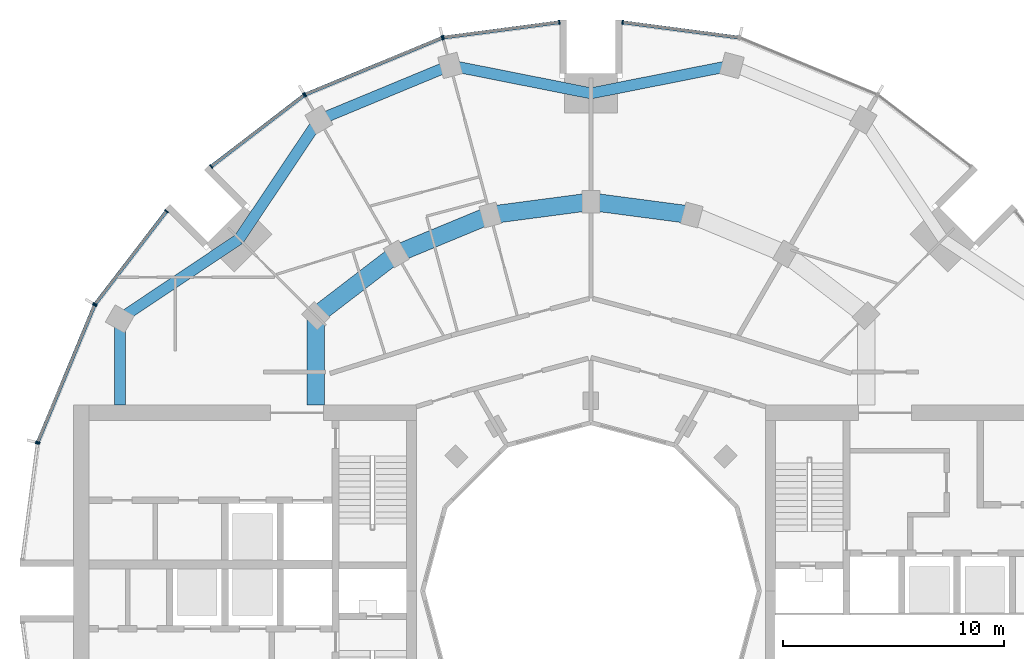
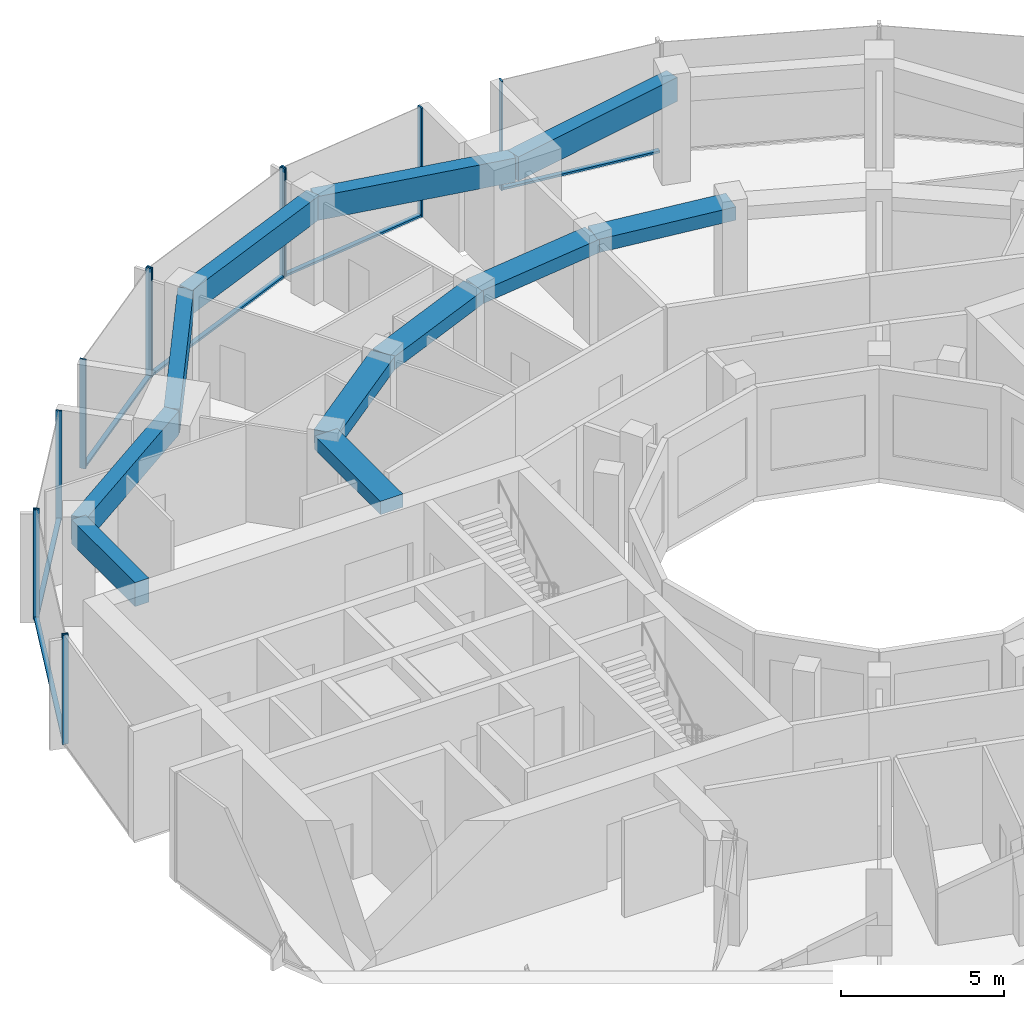
# One storey, part 5 of 15: 18 members, 11 beams, 7 elements without a shape of their own.
"""IFC4 building model written with IfcOpenShell, lengths in metres."""

from ifc_helpers import new_model, si_unit, direction, frame, origin, origin_2d, place, context, subcontext, project, spatial, rectangle, extrude, material, layer, layer_set, material_profile, profile_set, type_object, element, aggregate, save


model = new_model("IFC4")

# Units and contexts
model_context = context("Model", 3, precision=1e-05, world=origin(), true_north=direction((0.0, 1.0)))
body_context = subcontext(model_context, "Body", "Model", "MODEL_VIEW")
ifc_project = project(units=[si_unit("LENGTHUNIT", "METRE"), si_unit("AREAUNIT", "SQUARE_METRE"), si_unit("VOLUMEUNIT", "CUBIC_METRE"), si_unit("PLANEANGLEUNIT", "RADIAN"), si_unit("MASSUNIT", "GRAM", prefix="KILO")], contexts=[model_context])

# Site, building, storey
site_placement = place(None, origin())
site = spatial("IfcSite", under=ifc_project, at=site_placement, CompositionType="ELEMENT")
building_placement = place(site_placement, origin())
building = spatial("IfcBuilding", under=site, at=building_placement, Name="Torre Brocal", CompositionType="ELEMENT")
storey_placement = place(building_placement, frame((0.0, 0.0, 157.699951171875)))
storey = spatial("IfcBuildingStorey", under=building, at=storey_placement, Name="L36", CompositionType="ELEMENT", Elevation=157.699951171875)

# Curtain wall, member
ifc_material_1 = material(Name="Aluminium and glass", Category="aluminium")
ifc_layer_1 = layer(ifc_material_1, 0.199951171875)
ifc_layer_set_1 = layer_set([ifc_layer_1], Name="Aluminium and glass")
curtain_wall_type_1 = type_object("IfcCurtainWallType", Name="CW-1 CURTAIN WALL 4100 HIGH", PredefinedType="NOTDEFINED", material=ifc_layer_set_1)
curtain_wall_1_placement = place(storey_placement, origin())
curtain_wall_1 = element("IfcCurtainWall", 1, at=curtain_wall_1_placement, inside=storey, type_object=curtain_wall_type_1, Name="CW-1 RUN 6", PredefinedType="NOTDEFINED")
ifc_material_2 = material(Name="Aluminium, dark anodised", Category="aluminium")
ifc_material_profile_1 = material_profile(ifc_material_2, rectangle(XDim=0.199951171875, YDim=0.06005859375, at=origin_2d()), Name="CW-1 MULLION 60X200")
ifc_profile_set_1 = profile_set([ifc_material_profile_1], Name="Aluminium, dark anodised")
member_type_1 = type_object("IfcMemberType", Name="CW-1 MULLION 60X200", PredefinedType="MULLION", material=ifc_profile_set_1)
member_1_placement = place(storey_placement, frame((81.4296875, 100.7109375, 0.0), z_axis=(0.0, 0.0, 1.0), x_axis=(-0.13052619222, -0.991444861374, 0.0)))
member_1 = element("IfcMember", 2, at=member_1_placement, type_object=member_type_1, Name="CW1-4 mullion 2", PredefinedType="MULLION", context=body_context, shape_type="SweptSolid", body=[
    extrude(rectangle(XDim=0.199951171875, YDim=0.06005859375, at=origin_2d()), origin(), (0.0, 0.0, 1.0), 4.10009765625),
])

# Curtain wall, members
curtain_wall_2_placement = place(storey_placement, origin())
curtain_wall_2 = element("IfcCurtainWall", 3, at=curtain_wall_2_placement, inside=storey, type_object=curtain_wall_type_1, Name="CW-1 RUN 7", PredefinedType="NOTDEFINED")
member_2_placement = place(storey_placement, frame((78.5703125, 100.7109375, 0.0), z_axis=(0.0, 0.0, 1.0), x_axis=(0.13052619222, -0.991444861374, 0.0)))
member_2 = element("IfcMember", 4, at=member_2_placement, type_object=member_type_1, Name="CW1-4 mullion 1", PredefinedType="MULLION", context=body_context, shape_type="SweptSolid", body=[
    extrude(rectangle(XDim=0.199951171875, YDim=0.06005859375, at=origin_2d()), origin(), (0.0, 0.0, 1.0), 4.10009765625),
])
member_3_placement = place(storey_placement, frame((73.32666015625, 100.0205078125, 0.0), z_axis=(0.0, 0.0, 1.0), x_axis=(0.13052619222, -0.991444861374, 0.0)))
member_3 = element("IfcMember", 5, at=member_3_placement, type_object=member_type_1, Name="CW1-4 mullion 2", PredefinedType="MULLION", context=body_context, shape_type="SweptSolid", body=[
    extrude(rectangle(XDim=0.199951171875, YDim=0.06005859375, at=origin_2d()), origin(), (0.0, 0.0, 1.0), 4.10009765625),
])

curtain_wall_3_placement = place(storey_placement, origin())
curtain_wall_3 = element("IfcCurtainWall", 6, at=curtain_wall_3_placement, inside=storey, type_object=curtain_wall_type_1, Name="CW-1 RUN 8", PredefinedType="NOTDEFINED")
member_4_placement = place(storey_placement, frame((73.26904296875, 100.005126953125, 0.0), z_axis=(0.0, 0.0, 1.0), x_axis=(0.382683432333, -0.923879532525, 0.0)))
member_4 = element("IfcMember", 7, at=member_4_placement, type_object=member_type_1, Name="CW1-4 mullion 1", PredefinedType="MULLION", context=body_context, shape_type="SweptSolid", body=[
    extrude(rectangle(XDim=0.199951171875, YDim=0.06005859375, at=origin_2d()), origin(), (0.0, 0.0, 1.0), 4.10009765625),
])
member_5_placement = place(storey_placement, frame((67.078125, 97.440673828125, 0.0), z_axis=(0.0, 0.0, 1.0), x_axis=(0.382683432333, -0.923879532525, 0.0)))
member_5 = element("IfcMember", 8, at=member_5_placement, type_object=member_type_1, Name="CW1-4 mullion 2", PredefinedType="MULLION", context=body_context, shape_type="SweptSolid", body=[
    extrude(rectangle(XDim=0.199951171875, YDim=0.06005859375, at=origin_2d()), origin(), (0.0, 0.0, 1.0), 4.10009765625),
])

curtain_wall_4_placement = place(storey_placement, origin())
curtain_wall_4 = element("IfcCurtainWall", 9, at=curtain_wall_4_placement, inside=storey, type_object=curtain_wall_type_1, Name="CW-1 RUN 9", PredefinedType="NOTDEFINED")
member_6_placement = place(storey_placement, frame((67.026611328125, 97.4111328125, 0.0), z_axis=(0.0, 0.0, 1.0), x_axis=(0.60876142905, -0.793353340259, 0.0)))
member_6 = element("IfcMember", 10, at=member_6_placement, type_object=member_type_1, Name="CW1-4 mullion 1", PredefinedType="MULLION", context=body_context, shape_type="SweptSolid", body=[
    extrude(rectangle(XDim=0.199951171875, YDim=0.06005859375, at=origin_2d()), origin(), (0.0, 0.0, 1.0), 4.10009765625),
])
member_7_placement = place(storey_placement, frame((62.83056640625, 94.19140625, 0.0), z_axis=(0.0, 0.0, 1.0), x_axis=(0.60876142905, -0.793353340259, 0.0)))
member_7 = element("IfcMember", 11, at=member_7_placement, type_object=member_type_1, Name="CW1-4 mullion 2", PredefinedType="MULLION", context=body_context, shape_type="SweptSolid", body=[
    extrude(rectangle(XDim=0.199951171875, YDim=0.06005859375, at=origin_2d()), origin(), (0.0, 0.0, 1.0), 4.10009765625),
])

curtain_wall_5_placement = place(storey_placement, origin())
curtain_wall_5 = element("IfcCurtainWall", 12, at=curtain_wall_5_placement, inside=storey, type_object=curtain_wall_type_1, Name="CW-1 RUN 10", PredefinedType="NOTDEFINED")
member_8_placement = place(storey_placement, frame((60.80859375, 92.16943359375, 0.0), z_axis=(0.0, 0.0, 1.0), x_axis=(0.793353340259, -0.60876142905, 0.0)))
member_8 = element("IfcMember", 13, at=member_8_placement, type_object=member_type_1, Name="CW1-4 mullion 1", PredefinedType="MULLION", context=body_context, shape_type="SweptSolid", body=[
    extrude(rectangle(XDim=0.199951171875, YDim=0.06005859375, at=origin_2d()), origin(), (0.0, 0.0, 1.0), 4.10009765625),
])
member_9_placement = place(storey_placement, frame((57.5888671875, 87.973388671875, 0.0), z_axis=(0.0, 0.0, 1.0), x_axis=(0.793353340259, -0.60876142905, 0.0)))
member_9 = element("IfcMember", 14, at=member_9_placement, type_object=member_type_1, Name="CW1-4 mullion 2", PredefinedType="MULLION", context=body_context, shape_type="SweptSolid", body=[
    extrude(rectangle(XDim=0.199951171875, YDim=0.06005859375, at=origin_2d()), origin(), (0.0, 0.0, 1.0), 4.10009765625),
])

curtain_wall_6_placement = place(storey_placement, origin())
curtain_wall_6 = element("IfcCurtainWall", 15, at=curtain_wall_6_placement, inside=storey, type_object=curtain_wall_type_1, Name="CW-1 RUN 11", PredefinedType="NOTDEFINED")
member_10_placement = place(storey_placement, frame((57.559326171875, 87.921875, 0.0), z_axis=(0.0, 0.0, 1.0), x_axis=(0.923879532525, -0.382683432333, 0.0)))
member_10 = element("IfcMember", 16, at=member_10_placement, type_object=member_type_1, Name="CW1-4 mullion 1", PredefinedType="MULLION", context=body_context, shape_type="SweptSolid", body=[
    extrude(rectangle(XDim=0.199951171875, YDim=0.06005859375, at=origin_2d()), origin(), (0.0, 0.0, 1.0), 4.10009765625),
])
member_11_placement = place(storey_placement, frame((54.994873046875, 81.73095703125, 0.0), z_axis=(0.0, 0.0, 1.0), x_axis=(0.923879532525, -0.382683432333, 0.0)))
member_11 = element("IfcMember", 17, at=member_11_placement, type_object=member_type_1, Name="CW1-4 mullion 2", PredefinedType="MULLION", context=body_context, shape_type="SweptSolid", body=[
    extrude(rectangle(XDim=0.199951171875, YDim=0.06005859375, at=origin_2d()), origin(), (0.0, 0.0, 1.0), 4.10009765625),
])

# Member
ifc_material_3 = material(Name="Aluminium, dark anodised", Category="aluminium")
ifc_material_profile_2 = material_profile(ifc_material_3, rectangle(XDim=0.159912109375, YDim=0.080078125, at=origin_2d()), Name="CW-1 TRANSOM 160X80")
ifc_profile_set_2 = profile_set([ifc_material_profile_2], Name="Aluminium, dark anodised")
member_type_2 = type_object("IfcMemberType", Name="CW-1 TRANSOM 160X80", PredefinedType="USERDEFINED", material=ifc_profile_set_2)
member_12_placement = place(storey_placement, frame((86.643798828125, 100.0244140625, 0.0400390625), z_axis=(-0.991442690863, 0.130542677827, 0.0), x_axis=(-0.130542677827, -0.991442690863, 0.0)))
member_12 = element("IfcMember", 18, at=member_12_placement, type_object=member_type_2, Name="CW1-4 transom 1.1", ObjectType="TRANSOM", PredefinedType="USERDEFINED", context=body_context, shape_type="SweptSolid", body=[
    extrude(rectangle(XDim=0.159912109375, YDim=0.080078125, at=origin_2d()), origin(), (0.0, 0.0, 1.0), 5.22900390625),
])

aggregate(curtain_wall_1, [member_1, member_12])

member_13_placement = place(storey_placement, frame((78.54052734375, 100.70703125, 0.0400390625), z_axis=(-0.991442690863, -0.130542677827, 0.0), x_axis=(0.130542677827, -0.991442690863, 0.0)))
member_13 = element("IfcMember", 19, at=member_13_placement, type_object=member_type_2, Name="CW1-4 transom 1.1", ObjectType="TRANSOM", PredefinedType="USERDEFINED", context=body_context, shape_type="SweptSolid", body=[
    extrude(rectangle(XDim=0.159912109375, YDim=0.080078125, at=origin_2d()), origin(), (0.0, 0.0, 1.0), 5.22900390625),
])

aggregate(curtain_wall_2, [member_2, member_3, member_13])

member_14_placement = place(storey_placement, frame((73.241455078125, 99.99365234375, 0.0400390625), z_axis=(-0.923887344364, -0.38266457234, 0.0), x_axis=(0.38266457234, -0.923887344364, 0.0)))
member_14 = element("IfcMember", 20, at=member_14_placement, type_object=member_type_2, Name="CW1-4 transom 1.1", ObjectType="TRANSOM", PredefinedType="USERDEFINED", context=body_context, shape_type="SweptSolid", body=[
    extrude(rectangle(XDim=0.159912109375, YDim=0.080078125, at=origin_2d()), origin(), (0.0, 0.0, 1.0), 6.640869140625),
])

aggregate(curtain_wall_3, [member_4, member_5, member_14])

member_15_placement = place(storey_placement, frame((67.0029296875, 97.392822265625, 0.0400390625), z_axis=(-0.79336281513, -0.60874908096, 0.0), x_axis=(0.60874908096, -0.79336281513, 0.0)))
member_15 = element("IfcMember", 21, at=member_15_placement, type_object=member_type_2, Name="CW1-4 transom 1.1", ObjectType="TRANSOM", PredefinedType="USERDEFINED", context=body_context, shape_type="SweptSolid", body=[
    extrude(rectangle(XDim=0.159912109375, YDim=0.080078125, at=origin_2d()), origin(), (0.0, 0.0, 1.0), 5.22900390625),
])

aggregate(curtain_wall_4, [member_6, member_7, member_15])

member_16_placement = place(storey_placement, frame((60.790283203125, 92.1455078125, 0.0400390625), z_axis=(-0.60874908096, -0.79336281513, 0.0), x_axis=(0.79336281513, -0.60874908096, 0.0)))
member_16 = element("IfcMember", 22, at=member_16_placement, type_object=member_type_2, Name="CW1-4 transom 1.1", ObjectType="TRANSOM", PredefinedType="USERDEFINED", context=body_context, shape_type="SweptSolid", body=[
    extrude(rectangle(XDim=0.159912109375, YDim=0.080078125, at=origin_2d()), origin(), (0.0, 0.0, 1.0), 5.22900390625),
])

aggregate(curtain_wall_5, [member_8, member_9, member_16])

member_17_placement = place(storey_placement, frame((57.547607421875, 87.89404296875, 0.0400390625), z_axis=(-0.38266457234, -0.923887344364, 0.0), x_axis=(0.923887344364, -0.38266457234, 0.0)))
member_17 = element("IfcMember", 23, at=member_17_placement, type_object=member_type_2, Name="CW1-4 transom 1.1", ObjectType="TRANSOM", PredefinedType="USERDEFINED", context=body_context, shape_type="SweptSolid", body=[
    extrude(rectangle(XDim=0.159912109375, YDim=0.080078125, at=origin_2d()), origin(), (0.0, 0.0, 1.0), 6.640869140625),
])

aggregate(curtain_wall_6, [member_10, member_11, member_17])

# Curtain wall, member
ifc_material_4 = material(Name="Aluminium and glass", Category="aluminium")
ifc_layer_2 = layer(ifc_material_4, 0.199951171875)
ifc_layer_set_2 = layer_set([ifc_layer_2], Name="Aluminium and glass")
curtain_wall_type_2 = type_object("IfcCurtainWallType", Name="CW-1B CURTAIN WALL 4100 HIGH", PredefinedType="NOTDEFINED", material=ifc_layer_set_2)
curtain_wall_7_placement = place(storey_placement, origin())
curtain_wall_7 = element("IfcCurtainWall", 24, at=curtain_wall_7_placement, inside=storey, type_object=curtain_wall_type_2, Name="CW-1B RUN 12", PredefinedType="NOTDEFINED")
ifc_material_5 = material(Name="Aluminium, dark anodised", Category="aluminium")
ifc_material_profile_3 = material_profile(ifc_material_5, rectangle(XDim=0.199951171875, YDim=0.06005859375, at=origin_2d()), Name="CW-1B MULLION 60X200")
ifc_profile_set_3 = profile_set([ifc_material_profile_3], Name="Aluminium, dark anodised")
member_type_3 = type_object("IfcMemberType", Name="CW-1B MULLION 60X200", PredefinedType="MULLION", material=ifc_profile_set_3)
member_18_placement = place(storey_placement, frame((54.9794921875, 81.67333984375, 0.0), z_axis=(0.0, 0.0, 1.0), x_axis=(0.991444861374, -0.13052619222, 0.0)))
member_18 = element("IfcMember", 25, at=member_18_placement, type_object=member_type_3, Name="CW1B-4 mullion 1", PredefinedType="MULLION", context=body_context, shape_type="SweptSolid", body=[
    extrude(rectangle(XDim=0.199951171875, YDim=0.06005859375, at=origin_2d()), origin(), (0.0, 0.0, 1.0), 4.10009765625),
])
aggregate(curtain_wall_7, [member_18])

# Beams
ifc_material_6 = material(Name="Concrete C50", Category="concrete")
ifc_material_profile_4 = material_profile(ifc_material_6, rectangle(XDim=0.800048828125, YDim=0.5, at=origin_2d()), Name="RC 800X500")
ifc_profile_set_4 = profile_set([ifc_material_profile_4], Name="Concrete C50")
beam_type_1 = type_object("IfcBeamType", Name="RC BEAM 800X500 C50 TOP 3780", PredefinedType="BEAM", material=ifc_profile_set_4)
for number, where, z_axis, x_axis, name in (
    (26, (84.55517578125, 92.000244140625, 3.530029296875), (-0.991440544449, 0.130558978332, 0.0), (-0.130558978332, -0.991440544449, 0.0), "Beam BT-32"),
    (27, (80.0, 92.60009765625, 3.530029296875), (-0.991440544449, -0.130558978332, 0.0), (0.130558978332, -0.991440544449, 0.0), "Beam BT-32"),
):
    element("IfcBeam", number, at=place(storey_placement, frame(where, z_axis=z_axis, x_axis=x_axis)), inside=storey, type_object=beam_type_1, Name=name, PredefinedType="BEAM", context=body_context, shape_type="SweptSolid", body=[
        extrude(rectangle(XDim=0.800048828125, YDim=0.5, at=origin_2d()), origin(), (0.0, 0.0, 1.0), 4.594482421875),
    ])
beam_1_placement = place(storey_placement, frame((75.44482421875, 92.000244140625, 3.530029296875), z_axis=(-0.923878240166, -0.382686552348, 0.0), x_axis=(0.382686552348, -0.923878240166, 0.0)))
element("IfcBeam", 28, at=beam_1_placement, inside=storey, type_object=beam_type_1, Name="Beam BT-32", PredefinedType="BEAM", context=body_context, shape_type="SweptSolid", body=[
    extrude(rectangle(XDim=0.800048828125, YDim=0.5, at=origin_2d()), origin(), (0.0, 0.0, 1.0), 4.5947265625),
])
beam_2_placement = place(storey_placement, frame((71.199951171875, 90.241943359375, 3.530029296875), z_axis=(-0.793358265959, -0.6087550097, 0.0), x_axis=(0.6087550097, -0.793358265959, 0.0)))
element("IfcBeam", 29, at=beam_2_placement, inside=storey, type_object=beam_type_1, Name="Beam BT-32", PredefinedType="BEAM", context=body_context, shape_type="SweptSolid", body=[
    extrude(rectangle(XDim=0.800048828125, YDim=0.5, at=origin_2d()), origin(), (0.0, 0.0, 1.0), 4.594482421875),
])
beam_3_placement = place(storey_placement, frame((67.554931640625, 87.445068359375, 3.530029296875), z_axis=(0.0, -1.0, 0.0), x_axis=(1.0, 0.0, 0.0)))
element("IfcBeam", 30, at=beam_3_placement, inside=storey, type_object=beam_type_1, Name="Beam BT-32", PredefinedType="BEAM", context=body_context, shape_type="SweptSolid", body=[
    extrude(rectangle(XDim=0.800048828125, YDim=0.5, at=origin_2d()), origin(), (0.0, 0.0, 1.0), 4.045166015625),
])
ifc_material_7 = material(Name="Concrete C50", Category="concrete")
ifc_material_profile_5 = material_profile(ifc_material_7, rectangle(XDim=0.5, YDim=0.89990234375, at=origin_2d()), Name="RC 500X900")
ifc_profile_set_5 = profile_set([ifc_material_profile_5], Name="Concrete C50")
beam_type_2 = type_object("IfcBeamType", Name="RC SPANDREL BEAM 500X900 C50 TOP 3780", PredefinedType="SPANDREL", material=ifc_profile_set_5)
for number, where, z_axis, x_axis, name in (
    (31, (86.366943359375, 98.76171875, 3.330078125), (-0.980924907484, -0.194387051723, 0.0), (0.194387051723, -0.980924907484, 0.0), "Beam BT-33"),
    (32, (80.0, 97.5, 3.330078125), (-0.980924907484, 0.194387051723, 0.0), (-0.194387051723, -0.980924907484, 0.0), "Beam BT-33"),
):
    element("IfcBeam", number, at=place(storey_placement, frame(where, z_axis=z_axis, x_axis=x_axis)), inside=storey, type_object=beam_type_2, Name=name, PredefinedType="SPANDREL", context=body_context, shape_type="SweptSolid", body=[
        extrude(rectangle(XDim=0.5, YDim=0.89990234375, at=origin_2d()), origin(), (0.0, 0.0, 1.0), 6.49072265625),
    ])
beam_4_placement = place(storey_placement, frame((73.633056640625, 98.76171875, 3.330078125), z_axis=(-0.923882462513, -0.382676358639, 0.0), x_axis=(0.382676358639, -0.923882462513, 0.0)))
element("IfcBeam", 33, at=beam_4_placement, inside=storey, type_object=beam_type_2, Name="Beam BT-33", PredefinedType="SPANDREL", context=body_context, shape_type="SweptSolid", body=[
    extrude(rectangle(XDim=0.5, YDim=0.89990234375, at=origin_2d()), origin(), (0.0, 0.0, 1.0), 6.421875),
])
for number, where, z_axis, x_axis, name in (
    (34, (67.699951171875, 96.30419921875, 3.330078125), (-0.556157602282, -0.831076844476, 0.0), (0.831076844476, -0.556157602282, 0.0), "Beam BT-33"),
    (35, (64.090087890625, 90.909912109375, 3.330078125), (-0.831076844476, -0.556157602282, 0.0), (0.556157602282, -0.831076844476, 0.0), "Beam BT-33"),
):
    element("IfcBeam", number, at=place(storey_placement, frame(where, z_axis=z_axis, x_axis=x_axis)), inside=storey, type_object=beam_type_2, Name=name, PredefinedType="SPANDREL", context=body_context, shape_type="SweptSolid", body=[
        extrude(rectangle(XDim=0.5, YDim=0.89990234375, at=origin_2d()), origin(), (0.0, 0.0, 1.0), 6.49072265625),
    ])
beam_5_placement = place(storey_placement, frame((58.69580078125, 87.300048828125, 3.330078125), z_axis=(0.0, -1.0, 0.0), x_axis=(1.0, 0.0, 0.0)))
element("IfcBeam", 36, at=beam_5_placement, inside=storey, type_object=beam_type_2, Name="Beam BT-33", PredefinedType="SPANDREL", context=body_context, shape_type="SweptSolid", body=[
    extrude(rectangle(XDim=0.5, YDim=0.89990234375, at=origin_2d()), origin(), (0.0, 0.0, 1.0), 3.900146484375),
])

save(model, "model.ifc")
